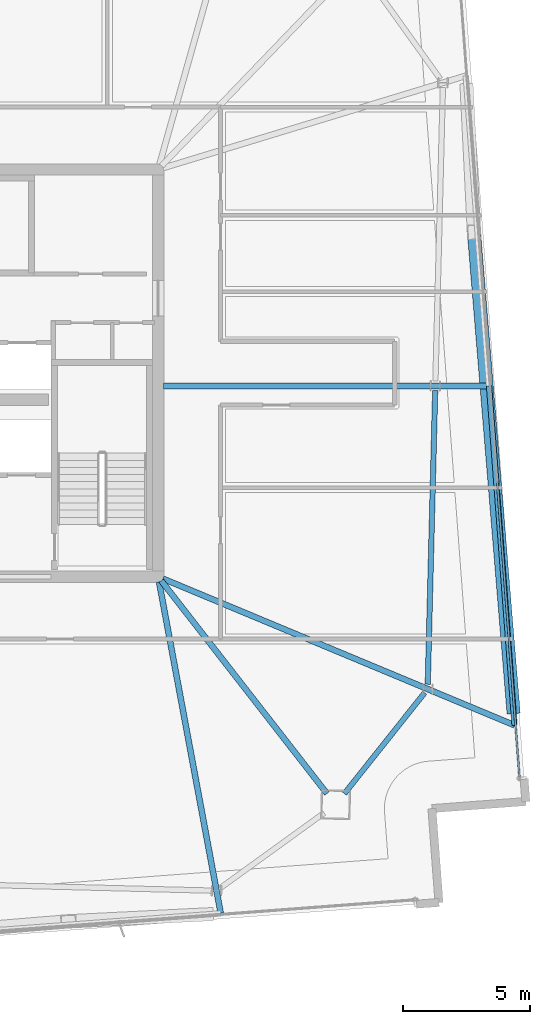
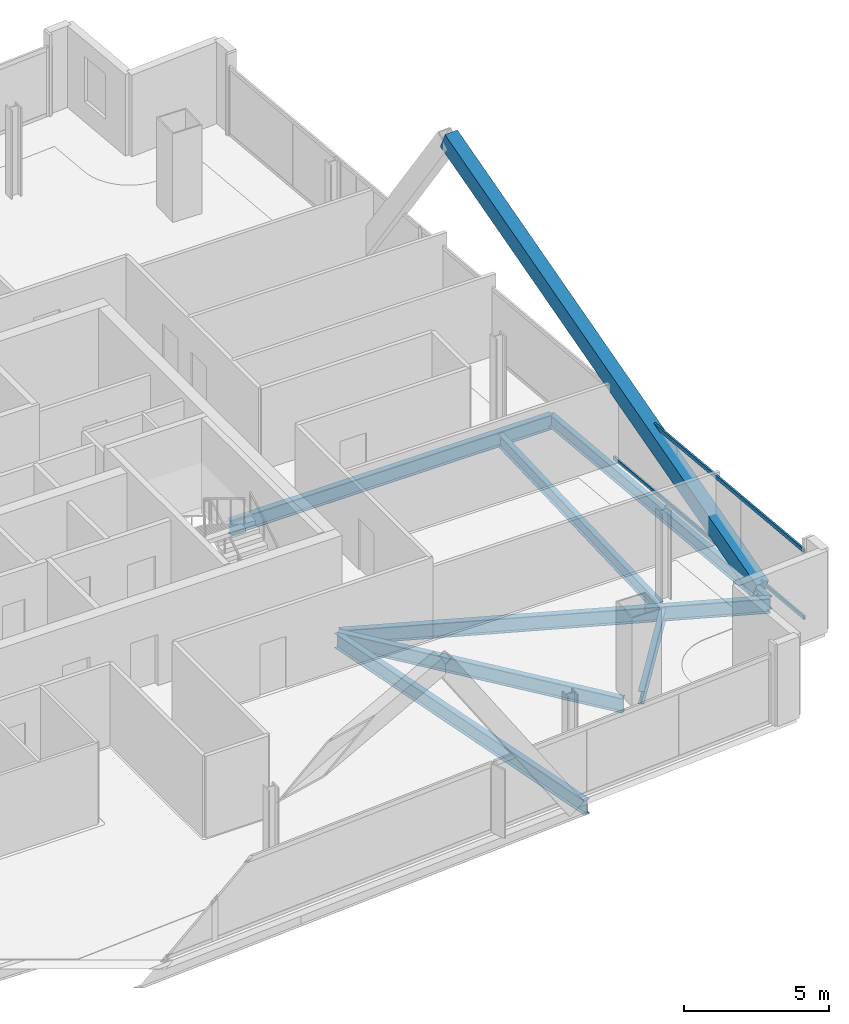
# One storey, part 9 of 23: 7 beams, 3 members, 1 element without a shape of its own.
"""IFC4 building model written with IfcOpenShell, lengths in metres."""

from ifc_helpers import new_model, si_unit, direction, frame, origin, origin_2d, place, context, subcontext, project, spatial, hollow_rectangle, i_section, extrude, material, material_profile, profile_set, type_object, element, aggregate, save


model = new_model("IFC4")

# Units and contexts
model_context = context("Model", 3, precision=1e-05, world=origin(), true_north=direction((0.0, 1.0)))
body_context = subcontext(model_context, "Body", "Model", "MODEL_VIEW")
ifc_project = project(units=[si_unit("LENGTHUNIT", "METRE"), si_unit("AREAUNIT", "SQUARE_METRE"), si_unit("VOLUMEUNIT", "CUBIC_METRE"), si_unit("PLANEANGLEUNIT", "RADIAN"), si_unit("MASSUNIT", "GRAM", prefix="KILO")], contexts=[model_context])

# Site, building, storey
site_placement = place(None, origin())
site = spatial("IfcSite", under=ifc_project, at=site_placement, CompositionType="ELEMENT")
building_placement = place(site_placement, origin())
building = spatial("IfcBuilding", under=site, at=building_placement, Name="Haldenkirk Collegiate Tower", CompositionType="ELEMENT")
storey_placement = place(building_placement, frame((0.0, 0.0, 343.949951171875)))
storey = spatial("IfcBuildingStorey", under=building, at=storey_placement, Name="L87", CompositionType="ELEMENT", Elevation=343.949951171875)

# Beams
ifc_material_1 = material(Name="Steel ASTM A992 Grade 50", Category="steel")
ifc_material_profile_1 = material_profile(ifc_material_1, i_section(OverallWidth=0.22998046875, OverallDepth=0.616943359375, WebThickness=0.01318359375, FlangeThickness=0.022216796875, at=origin_2d()), Name="W24X94")
ifc_profile_set_1 = profile_set([ifc_material_profile_1], Name="Steel ASTM A992 Grade 50")
beam_type_1 = type_object("IfcBeamType", Name="BM-GIRDER-W24X94", PredefinedType="BEAM", material=ifc_profile_set_1)
beam_1_placement = place(storey_placement, frame((51.635009765625, 9.478271484375, -0.568359375), z_axis=(-0.614347328176, 0.789035715518, 0.0), x_axis=(-0.789035715518, -0.614347328176, 0.0)))
element("IfcBeam", 1, at=beam_1_placement, inside=storey, type_object=beam_type_1, Name="L87 primary floor girder 01", PredefinedType="BEAM", context=body_context, shape_type="SweptSolid", body=[
    extrude(i_section(OverallWidth=0.22998046875, OverallDepth=0.616943359375, WebThickness=0.01318359375, FlangeThickness=0.022216796875, at=origin_2d()), origin(), (0.0, 0.0, 1.0), 10.594970703125),
])
beam_2_placement = place(storey_placement, frame((59.007568359375, 12.160400390625, -0.568359375), z_axis=(-0.923003570868, 0.384791382654, 0.0), x_axis=(-0.384791382654, -0.923003570868, 0.0)))
element("IfcBeam", 2, at=beam_2_placement, inside=storey, type_object=beam_type_1, Name="L87 primary floor girder 05", PredefinedType="BEAM", context=body_context, shape_type="SweptSolid", body=[
    extrude(i_section(OverallWidth=0.22998046875, OverallDepth=0.616943359375, WebThickness=0.01318359375, FlangeThickness=0.022216796875, at=origin_2d()), origin(), (0.0, 0.0, 1.0), 14.97119140625),
])
beam_3_placement = place(storey_placement, frame((58.004638671875, 25.496337890625, -0.568359375), z_axis=(-1.0, 0.0, 0.0), x_axis=(0.0, -1.0, 0.0)))
element("IfcBeam", 3, at=beam_3_placement, inside=storey, type_object=beam_type_1, Name="L87 primary floor girder 06", PredefinedType="BEAM", context=body_context, shape_type="SweptSolid", body=[
    extrude(i_section(OverallWidth=0.22998046875, OverallDepth=0.616943359375, WebThickness=0.01318359375, FlangeThickness=0.022216796875, at=origin_2d()), origin(), (0.0, 0.0, 1.0), 12.799560546875),
])
beam_4_placement = place(storey_placement, frame((47.462158203125, 4.769775390625, -0.568359375), z_axis=(-0.182951395603, 0.983121959294, 0.0), x_axis=(-0.983121959294, -0.182951395603, 0.0)))
element("IfcBeam", 4, at=beam_4_placement, inside=storey, type_object=beam_type_1, Name="L87 primary floor girder 16", PredefinedType="BEAM", context=body_context, shape_type="SweptSolid", body=[
    extrude(i_section(OverallWidth=0.22998046875, OverallDepth=0.616943359375, WebThickness=0.01318359375, FlangeThickness=0.022216796875, at=origin_2d()), origin(), (0.0, 0.0, 1.0), 13.25244140625),
])
ifc_material_profile_2 = material_profile(ifc_material_1, i_section(OverallWidth=0.2099609375, OverallDepth=0.537109375, WebThickness=0.010986328125, FlangeThickness=0.017333984375, at=origin_2d()), Name="W21X68")
ifc_profile_set_2 = profile_set([ifc_material_profile_2], Name="Steel ASTM A992 Grade 50")
beam_type_2 = type_object("IfcBeamType", Name="BM-SPANDREL-W21X68", PredefinedType="SPANDREL", material=ifc_profile_set_2)
beam_5_placement = place(storey_placement, frame((52.321533203125, 9.474609375, -0.528564453125), z_axis=(0.622700032294, 0.782460650628, 0.0), x_axis=(-0.782460650628, 0.622700032294, 0.0)))
element("IfcBeam", 5, at=beam_5_placement, inside=storey, type_object=beam_type_2, Name="L87 perimeter spandrel beam 01", PredefinedType="SPANDREL", context=body_context, shape_type="SweptSolid", body=[
    extrude(i_section(OverallWidth=0.2099609375, OverallDepth=0.537109375, WebThickness=0.010986328125, FlangeThickness=0.017333984375, at=origin_2d()), origin(), (0.0, 0.0, 1.0), 5.064453125),
])
beam_6_placement = place(storey_placement, frame((55.596923828125, 13.772216796875, -0.528564453125), z_axis=(0.025302458902, 0.999679841536, 0.0), x_axis=(-0.999679841536, 0.025302458902, 0.0)))
element("IfcBeam", 6, at=beam_6_placement, inside=storey, type_object=beam_type_2, Name="L87 perimeter spandrel beam 02", PredefinedType="SPANDREL", context=body_context, shape_type="SweptSolid", body=[
    extrude(i_section(OverallWidth=0.2099609375, OverallDepth=0.537109375, WebThickness=0.010986328125, FlangeThickness=0.017333984375, at=origin_2d()), origin(), (0.0, 0.0, 1.0), 11.5400390625),
])
beam_7_placement = place(storey_placement, frame((59.007568359375, 12.160400390625, -0.528564453125), z_axis=(-0.074993263728, 0.997184040383, 0.0), x_axis=(-0.997184040383, -0.074993263728, 0.0)))
element("IfcBeam", 7, at=beam_7_placement, inside=storey, type_object=beam_type_2, Name="L87 outer facade edge beam 1A", PredefinedType="SPANDREL", context=body_context, shape_type="SweptSolid", body=[
    extrude(i_section(OverallWidth=0.2099609375, OverallDepth=0.537109375, WebThickness=0.010986328125, FlangeThickness=0.017333984375, at=origin_2d()), origin(), (0.0, 0.0, 1.0), 13.37353515625),
])

# Curtain wall, members
ifc_material_2 = material(Name="Anodised architectural bronze aluminium", Category="aluminium")
curtain_wall_type = type_object("IfcCurtainWallType", Name="CW-SYS2-CONCAVE", PredefinedType="USERDEFINED", material=ifc_material_2)
curtain_wall_placement = place(storey_placement, origin())
curtain_wall = element("IfcCurtainWall", 8, at=curtain_wall_placement, inside=storey, type_object=curtain_wall_type, Name="L87 South concave recessed bronze-anodised curtain wall", ObjectType="UNITISED CURTAIN WALL", PredefinedType="USERDEFINED")
ifc_material_profile_3 = material_profile(ifc_material_2, hollow_rectangle(XDim=0.074951171875, YDim=0.159912109375, WallThickness=0.0048828125, at=origin_2d()), Name="CW-TRN-02")
ifc_profile_set_3 = profile_set([ifc_material_profile_3], Name="Anodised architectural bronze aluminium")
member_type_1 = type_object("IfcMemberType", Name="CW-TRN-02", PredefinedType="USERDEFINED", material=ifc_profile_set_3)
member_1_placement = place(storey_placement, frame((58.3271484375, 21.7412109375, 0.03759765625), z_axis=(0.074975869453, -0.997185348368, 0.0), x_axis=(0.997185348368, 0.074975869453, 0.0)))
member_1 = element("IfcMember", 9, at=member_1_placement, type_object=member_type_1, Name="CW-02 transom 3.1", ObjectType="TRANSOM", PredefinedType="USERDEFINED", context=body_context, shape_type="SweptSolid", body=[
    extrude(hollow_rectangle(XDim=0.074951171875, YDim=0.159912109375, WallThickness=0.0048828125, at=origin_2d()), origin(), (0.0, 0.0, 1.0), 11.654052734375),
])
member_2_placement = place(storey_placement, frame((58.3271484375, 21.7412109375, 2.8505859375), z_axis=(0.074975869453, -0.997185348368, 0.0), x_axis=(0.997185348368, 0.074975869453, 0.0)))
member_2 = element("IfcMember", 10, at=member_2_placement, type_object=member_type_1, Name="CW-02 transom 3.2", ObjectType="TRANSOM", PredefinedType="USERDEFINED", context=body_context, shape_type="SweptSolid", body=[
    extrude(hollow_rectangle(XDim=0.074951171875, YDim=0.159912109375, WallThickness=0.0048828125, at=origin_2d()), origin(), (0.0, 0.0, 1.0), 11.654052734375),
])
aggregate(curtain_wall, [member_1, member_2])

# Member
ifc_material_3 = material(Name="Steel ASTM A572 Grade 50", Category="steel")
ifc_material_profile_4 = material_profile(ifc_material_3, hollow_rectangle(XDim=0.52001953125, YDim=0.719970703125, WallThickness=0.035888671875, at=origin_2d()), Name="BOX720X520X36")
ifc_profile_set_4 = profile_set([ifc_material_profile_4], Name="Steel ASTM A572 Grade 50")
member_type_2 = type_object("IfcMemberType", Name="MBR-MEGABRACE-BOX720X520X36", PredefinedType="BRACE", material=ifc_profile_set_4)
member_3_placement = place(storey_placement, frame((58.96240234375, 12.7587890625, -0.27001953125), z_axis=(-0.07564149065, 0.915364415971, 0.395457141629), x_axis=(-0.996603083885, -0.082354679225, 0.0)))
element("IfcMember", 11, at=member_3_placement, inside=storey, type_object=member_type_2, Name="Perimeter Mega Brace Z6 L87-L88 SL", PredefinedType="BRACE", context=body_context, shape_type="SweptSolid", body=[
    extrude(hollow_rectangle(XDim=0.52001953125, YDim=0.719970703125, WallThickness=0.035888671875, at=origin_2d()), origin(), (0.0, 0.0, 1.0), 20.50830078125),
])

save(model, "model.ifc")
